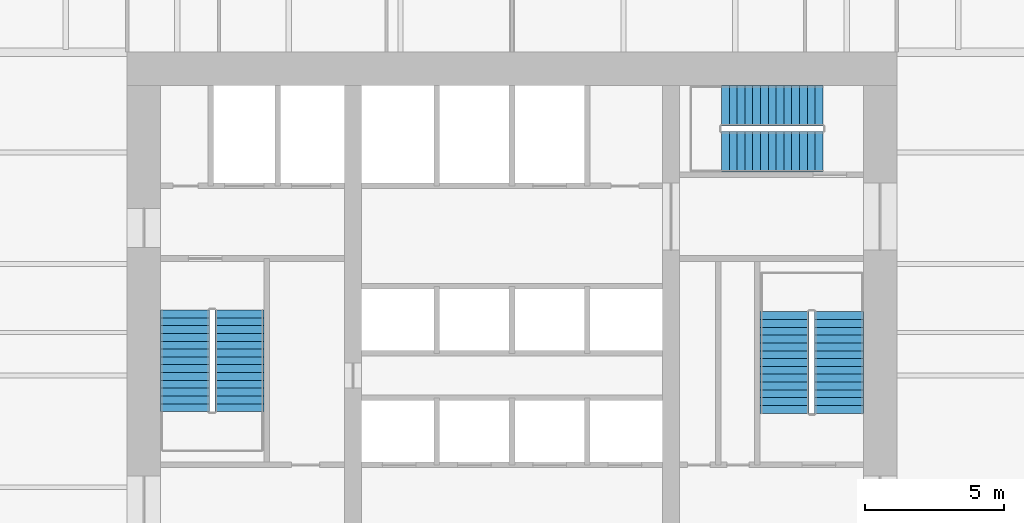
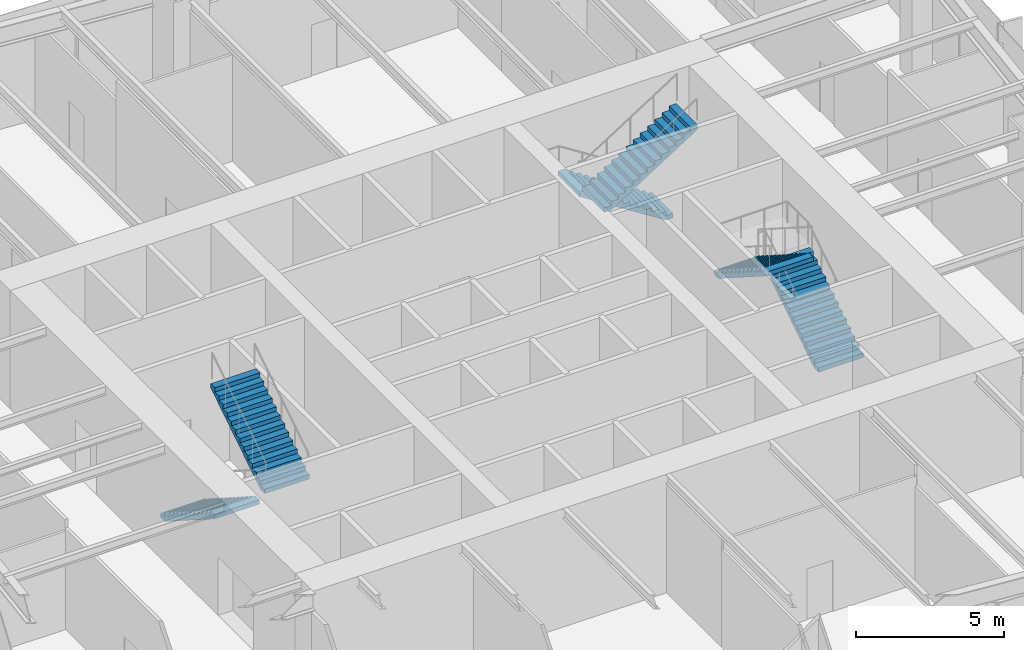
# One storey, part 12 of 15: 6 stair flights, 3 elements without a shape of their own.
"""IFC4 building model written with IfcOpenShell, lengths in metres."""

import ifcopenshell
import ifcopenshell.guid

model = None  # the IFC model being written
_history = None  # IfcOwnerHistory: only IFC2X3 demands one
_inside = {}  # id of a spatial element -> (the spatial element, [elements in it])
_under = {}  # id of a project, library or spatial element -> (it, [spatial elements below it])
_declared = {}  # id of a project -> (the project, [libraries it declares])
_typed = {}  # id of a type object -> (the type object, [elements of that type])
_made_of = {}  # id of a material, layer set ... -> (it, [elements and type objects made of it])


def new_model(schema):
    """Start an empty IFC model of exactly this schema.

    Asked for "IFC4X3", IfcOpenShell would pick the latest addendum, in which some entities
    have other attributes; the version numbers below select the first issue.
    IFC2X3 requires an IfcOwnerHistory on every rooted entity: one is made here for all.
    """
    global model, _history
    if schema == "IFC4X3":
        model = ifcopenshell.file(schema_version=(4, 3, 0, 0))
    else:
        model = ifcopenshell.file(schema=schema)
    _inside.clear()
    _under.clear()
    _declared.clear()
    _typed.clear()
    _made_of.clear()
    _history = None
    if model.schema == "IFC2X3":
        org = make("IfcOrganization", Name="unknown")
        user = make(
            "IfcPersonAndOrganization",
            ThePerson=make("IfcPerson", FamilyName="unknown"),
            TheOrganization=org,
        )
        app = make(
            "IfcApplication",
            ApplicationDeveloper=org,
            Version="unknown",
            ApplicationFullName="unknown",
            ApplicationIdentifier="unknown",
        )
        _history = make(
            "IfcOwnerHistory",
            OwningUser=user,
            OwningApplication=app,
            ChangeAction="ADDED",
            CreationDate=0,
        )
    return model


def make(cls, **values):
    """One entity of the class cls with the attributes given. An attribute that is None is left unset."""
    return model.create_entity(
        cls, **{name: value for name, value in values.items() if value is not None}
    )


def rooted(cls, **values):
    """An entity with a GlobalId (a new one), such as an element, a storey or a relation."""
    return make(cls, GlobalId=ifcopenshell.guid.new(), OwnerHistory=_history, **values)


def si_unit(unit_type, name, prefix=None):
    """IfcSIUnit, for example si_unit("LENGTHUNIT", "METRE", prefix="MILLI")."""
    return make("IfcSIUnit", UnitType=unit_type, Prefix=prefix, Name=name)


def assignment(units):
    """IfcUnitAssignment: the units of a project."""
    return None if units is None else make("IfcUnitAssignment", Units=units)


def point(xyz):
    """IfcCartesianPoint."""
    return None if xyz is None else make("IfcCartesianPoint", Coordinates=xyz)


def direction(xyz):
    """IfcDirection."""
    return None if xyz is None else make("IfcDirection", DirectionRatios=xyz)


def frame(location, z_axis=None, x_axis=None):
    """IfcAxis2Placement3D, a coordinate frame: its origin and axes. An axis left out is left unset."""
    return make(
        "IfcAxis2Placement3D",
        Location=point(location),
        Axis=direction(z_axis),
        RefDirection=direction(x_axis),
    )


def origin():
    """The frame at (0, 0, 0) with its axes left unset."""
    return frame((0.0, 0.0, 0.0))


def place(relative_to, where):
    """IfcLocalPlacement: puts the frame where relative to a parent placement (None: the world)."""
    return make(
        "IfcLocalPlacement", PlacementRelTo=relative_to, RelativePlacement=where
    )


def context(
    kind, dimensions, precision=None, world=None, true_north=None, identifier=None
):
    """IfcGeometricRepresentationContext, for example the 3D "Model" context."""
    return make(
        "IfcGeometricRepresentationContext",
        ContextIdentifier=identifier,
        ContextType=kind,
        CoordinateSpaceDimension=dimensions,
        Precision=precision,
        WorldCoordinateSystem=world,
        TrueNorth=true_north,
    )


def subcontext(parent, identifier, kind, view, scale=None):
    """IfcGeometricRepresentationSubContext, for example "Body" below "Model"."""
    return make(
        "IfcGeometricRepresentationSubContext",
        ContextIdentifier=identifier,
        ContextType=kind,
        ParentContext=parent,
        TargetScale=scale,
        TargetView=view,
    )


def project(units=None, contexts=None):
    """IfcProject with its units and contexts."""
    return rooted(
        "IfcProject",
        Name="project",
        RepresentationContexts=contexts,
        UnitsInContext=assignment(units),
    )


def spatial(cls, under=None, at=None, **own):
    """A site, building, storey or space (cls), placed at a placement, below another one or the project."""
    s = rooted(cls, ObjectPlacement=at, **own)
    if under is not None:
        _under.setdefault(under.id(), (under, []))[1].append(s)
    return s


def polyline(points):
    """IfcPolyline through the points."""
    return make("IfcPolyline", Points=[point(p) for p in points])


def outline(outer, holes=None, kind="AREA"):
    """IfcArbitraryClosedProfileDef: a profile drawn as a closed curve; with holes, ...WithVoids."""
    if holes is None:
        return make("IfcArbitraryClosedProfileDef", ProfileType=kind, OuterCurve=outer)
    return make(
        "IfcArbitraryProfileDefWithVoids",
        ProfileType=kind,
        OuterCurve=outer,
        InnerCurves=holes,
    )


def extrude(swept, where, along, depth):
    """IfcExtrudedAreaSolid: the profile swept, set in the frame where, extruded along a direction by depth."""
    return make(
        "IfcExtrudedAreaSolid",
        SweptArea=swept,
        Position=where,
        ExtrudedDirection=direction(along),
        Depth=depth,
    )


def shape(context_of_items, identifier, shape_type, items):
    """IfcShapeRepresentation: the items that make up one representation, for example the "Body"."""
    return make(
        "IfcShapeRepresentation",
        ContextOfItems=context_of_items,
        RepresentationIdentifier=identifier,
        RepresentationType=shape_type,
        Items=items,
    )


def material(Name=None, Category=None):
    """IfcMaterial."""
    return make("IfcMaterial", Name=Name, Category=Category)


def made_of(thing, what):
    """Note that an element or type object is made of a material, layer set ...; save() writes the relation."""
    if what is not None:
        _made_of.setdefault(what.id(), (what, []))[1].append(thing)
    return thing


def type_object(cls, material=None, **own):
    """A type object (cls), such as IfcWallType, which elements share."""
    return made_of(rooted(cls, **own), material)


def element(
    cls,
    number,
    at=None,
    inside=None,
    cuts=None,
    type_object=None,
    material=None,
    context=None,
    identifier="Body",
    shape_type=None,
    held_by="IfcProductDefinitionShape",
    body=None,
    shapes=None,
    **own,
):
    """One element of the class cls, such as IfcWall. Its Tag is "e" and its number.

    at: its placement. inside: the storey or other place that contains it. cuts: it is an
    opening in that element (IfcRelVoidsElement). A single representation is given by context,
    identifier, shape_type and body (its items); several are given by shapes. held_by: the class
    of the entity that holds the representations. save() writes the other relations.
    """
    e = rooted(cls, Tag="e%d" % number, ObjectPlacement=at, **own)
    if body is not None:
        shapes = [shape(context, identifier, shape_type, body)]
    if shapes is not None:
        e.Representation = make(held_by, Representations=shapes)
    if inside is not None:
        _inside.setdefault(inside.id(), (inside, []))[1].append(e)
    if cuts is not None:
        rooted(
            "IfcRelVoidsElement", RelatingBuildingElement=cuts, RelatedOpeningElement=e
        )
    if type_object is not None:
        _typed.setdefault(type_object.id(), (type_object, []))[1].append(e)
    return made_of(e, material)


def aggregate(whole, parts):
    """IfcRelAggregates: a whole, such as a stair, and the parts it consists of."""
    return rooted("IfcRelAggregates", RelatingObject=whole, RelatedObjects=parts)


def save(model, path):
    """Write the relations noted so far, then the file.

    IfcRelAggregates (storeys below a building ...), IfcRelContainedInSpatialStructure (elements
    in a storey), IfcRelDefinesByType, IfcRelAssociatesMaterial and IfcRelDeclares: one each for
    every whole, place, type object, material and project.
    """
    for whole, parts in _under.values():
        aggregate(whole, parts)
    for where, things in _inside.values():
        rooted(
            "IfcRelContainedInSpatialStructure",
            RelatedElements=things,
            RelatingStructure=where,
        )
    for kind, things in _typed.values():
        rooted("IfcRelDefinesByType", RelatedObjects=things, RelatingType=kind)
    for what, things in _made_of.values():
        rooted("IfcRelAssociatesMaterial", RelatedObjects=things, RelatingMaterial=what)
    for by, libraries in _declared.values():
        rooted("IfcRelDeclares", RelatingContext=by, RelatedDefinitions=libraries)
    model.write(path)


model = new_model("IFC4")

# Units and contexts
model_context = context("Model", 3, precision=1e-05, world=origin(), true_north=direction((0.0, 1.0)))
body_context = subcontext(model_context, "Body", "Model", "MODEL_VIEW")
ifc_project = project(units=[si_unit("LENGTHUNIT", "METRE"), si_unit("AREAUNIT", "SQUARE_METRE"), si_unit("VOLUMEUNIT", "CUBIC_METRE"), si_unit("PLANEANGLEUNIT", "RADIAN"), si_unit("MASSUNIT", "GRAM", prefix="KILO")], contexts=[model_context])

# Site, building, storey
site_placement = place(None, origin())
site = spatial("IfcSite", under=ifc_project, at=site_placement, CompositionType="ELEMENT")
building_placement = place(site_placement, origin())
building = spatial("IfcBuilding", under=site, at=building_placement, Name="Verdant Reach Tower", CompositionType="ELEMENT")
storey_placement = place(building_placement, frame((0.0, 0.0, 65.0)))
storey = spatial("IfcBuildingStorey", under=building, at=storey_placement, Name="L14", CompositionType="ELEMENT", Elevation=65.0)

# Stair, stair flights
ifc_material = material(Name="Concrete C40/50", Category="concrete")
stair_type = type_object("IfcStairType", Name="CO-STAIR", PredefinedType="HALF_TURN_STAIR", material=ifc_material)
stair_1_placement = place(storey_placement, origin())
stair_1 = element("IfcStair", 1, at=stair_1_placement, inside=storey, type_object=stair_type, Name="L14 Exit stair 1", PredefinedType="HALF_TURN_STAIR")
stair_flight_type = type_object("IfcStairFlightType", Name="CO-STAIR-FLIGHT", PredefinedType="STRAIGHT", material=ifc_material)
stair_flight_1_placement = place(storey_placement, frame((-11.72509765625, 29.550048828125, 0.0), z_axis=(0.0, 0.0, 1.0), x_axis=(0.0, -1.0, 0.0)))
stair_flight_1 = element("IfcStairFlight", 2, at=stair_flight_1_placement, type_object=stair_flight_type, Name="ST-1 flight 1", NumberOfRisers=14, NumberOfTreads=13, PredefinedType="STRAIGHT", RiserHeight=0.178571429, TreadLength=0.28, context=body_context, shape_type="SweptSolid", body=[
    extrude(outline(polyline([(0.0, 0.0), (0.0, 0.178466796875), (0.280029296875, 0.178466796875), (0.280029296875, 0.357177734375), (0.56005859375, 0.357177734375), (0.56005859375, 0.53564453125), (0.840087890625, 0.53564453125), (0.840087890625, 0.71435546875), (1.1201171875, 0.71435546875), (1.1201171875, 0.892822265625), (1.39990234375, 0.892822265625), (1.39990234375, 1.071533203125), (1.679931640625, 1.071533203125), (1.679931640625, 1.25), (1.9599609375, 1.25), (1.9599609375, 1.428466796875), (2.239990234375, 1.428466796875), (2.239990234375, 1.607177734375), (2.52001953125, 1.607177734375), (2.52001953125, 1.78564453125), (2.800048828125, 1.78564453125), (2.800048828125, 1.96435546875), (3.080078125, 1.96435546875), (3.080078125, 2.142822265625), (3.360107421875, 2.142822265625), (3.360107421875, 2.321533203125), (3.639892578125, 2.321533203125), (3.639892578125, 2.5), (3.639892578125, 2.1435546875), (0.27880859375, 0.0), (0.0, 0.0)])), frame((0.0, 0.875, 0.0), z_axis=(0.0, -1.0, 0.0), x_axis=(1.0, 0.0, 0.0)), (0.0, 0.0, 1.0), 1.75),
])
stair_flight_2_placement = place(storey_placement, frame((-9.77490234375, 25.909912109375, 2.5), z_axis=(0.0, 0.0, 1.0), x_axis=(0.0, 1.0, 0.0)))
stair_flight_2 = element("IfcStairFlight", 3, at=stair_flight_2_placement, type_object=stair_flight_type, Name="ST-1 flight 2", NumberOfRisers=14, NumberOfTreads=13, PredefinedType="STRAIGHT", RiserHeight=0.178571429, TreadLength=0.28, context=body_context, shape_type="SweptSolid", body=[
    extrude(outline(polyline([(0.0, 0.0), (0.0, 0.178466796875), (0.280029296875, 0.178466796875), (0.280029296875, 0.357177734375), (0.56005859375, 0.357177734375), (0.56005859375, 0.53564453125), (0.840087890625, 0.53564453125), (0.840087890625, 0.71435546875), (1.1201171875, 0.71435546875), (1.1201171875, 0.892822265625), (1.39990234375, 0.892822265625), (1.39990234375, 1.071533203125), (1.679931640625, 1.071533203125), (1.679931640625, 1.25), (1.9599609375, 1.25), (1.9599609375, 1.428466796875), (2.239990234375, 1.428466796875), (2.239990234375, 1.607177734375), (2.52001953125, 1.607177734375), (2.52001953125, 1.78564453125), (2.800048828125, 1.78564453125), (2.800048828125, 1.96435546875), (3.080078125, 1.96435546875), (3.080078125, 2.142822265625), (3.360107421875, 2.142822265625), (3.360107421875, 2.321533203125), (3.639892578125, 2.321533203125), (3.639892578125, 2.5), (3.639892578125, 2.1435546875), (0.27880859375, 0.0), (0.0, 0.0)])), frame((0.0, 0.875, 0.0), z_axis=(0.0, -1.0, 0.0), x_axis=(1.0, 0.0, 0.0)), (0.0, 0.0, 1.0), 1.75),
])
aggregate(stair_1, [stair_flight_1, stair_flight_2])

stair_2_placement = place(storey_placement, origin())
stair_2 = element("IfcStair", 4, at=stair_2_placement, inside=storey, type_object=stair_type, Name="L14 Exit stair 2", PredefinedType="HALF_TURN_STAIR")
stair_flight_3_placement = place(storey_placement, frame((11.72509765625, 25.85009765625, 0.0), z_axis=(0.0, 0.0, 1.0), x_axis=(0.0, 1.0, 0.0)))
stair_flight_3 = element("IfcStairFlight", 5, at=stair_flight_3_placement, type_object=stair_flight_type, Name="ST-2 flight 1", NumberOfRisers=14, NumberOfTreads=13, PredefinedType="STRAIGHT", RiserHeight=0.178571429, TreadLength=0.28, context=body_context, shape_type="SweptSolid", body=[
    extrude(outline(polyline([(0.0, 0.0), (0.0, 0.178466796875), (0.280029296875, 0.178466796875), (0.280029296875, 0.357177734375), (0.56005859375, 0.357177734375), (0.56005859375, 0.53564453125), (0.840087890625, 0.53564453125), (0.840087890625, 0.71435546875), (1.1201171875, 0.71435546875), (1.1201171875, 0.892822265625), (1.39990234375, 0.892822265625), (1.39990234375, 1.071533203125), (1.679931640625, 1.071533203125), (1.679931640625, 1.25), (1.9599609375, 1.25), (1.9599609375, 1.428466796875), (2.239990234375, 1.428466796875), (2.239990234375, 1.607177734375), (2.52001953125, 1.607177734375), (2.52001953125, 1.78564453125), (2.800048828125, 1.78564453125), (2.800048828125, 1.96435546875), (3.080078125, 1.96435546875), (3.080078125, 2.142822265625), (3.360107421875, 2.142822265625), (3.360107421875, 2.321533203125), (3.639892578125, 2.321533203125), (3.639892578125, 2.5), (3.639892578125, 2.1435546875), (0.27880859375, 0.0), (0.0, 0.0)])), frame((0.0, 0.875, 0.0), z_axis=(0.0, -1.0, 0.0), x_axis=(1.0, 0.0, 0.0)), (0.0, 0.0, 1.0), 1.75),
])
stair_flight_4_placement = place(storey_placement, frame((9.77490234375, 29.489990234375, 2.5), z_axis=(0.0, 0.0, 1.0), x_axis=(0.0, -1.0, 0.0)))
stair_flight_4 = element("IfcStairFlight", 6, at=stair_flight_4_placement, type_object=stair_flight_type, Name="ST-2 flight 2", NumberOfRisers=14, NumberOfTreads=13, PredefinedType="STRAIGHT", RiserHeight=0.178571429, TreadLength=0.28, context=body_context, shape_type="SweptSolid", body=[
    extrude(outline(polyline([(0.0, 0.0), (0.0, 0.178466796875), (0.280029296875, 0.178466796875), (0.280029296875, 0.357177734375), (0.56005859375, 0.357177734375), (0.56005859375, 0.53564453125), (0.840087890625, 0.53564453125), (0.840087890625, 0.71435546875), (1.1201171875, 0.71435546875), (1.1201171875, 0.892822265625), (1.39990234375, 0.892822265625), (1.39990234375, 1.071533203125), (1.679931640625, 1.071533203125), (1.679931640625, 1.25), (1.9599609375, 1.25), (1.9599609375, 1.428466796875), (2.239990234375, 1.428466796875), (2.239990234375, 1.607177734375), (2.52001953125, 1.607177734375), (2.52001953125, 1.78564453125), (2.800048828125, 1.78564453125), (2.800048828125, 1.96435546875), (3.080078125, 1.96435546875), (3.080078125, 2.142822265625), (3.360107421875, 2.142822265625), (3.360107421875, 2.321533203125), (3.639892578125, 2.321533203125), (3.639892578125, 2.5), (3.639892578125, 2.1435546875), (0.27880859375, 0.0), (0.0, 0.0)])), frame((0.0, 0.875, 0.0), z_axis=(0.0, -1.0, 0.0), x_axis=(1.0, 0.0, 0.0)), (0.0, 0.0, 1.0), 1.75),
])
aggregate(stair_2, [stair_flight_3, stair_flight_4])

stair_3_placement = place(storey_placement, origin())
stair_3 = element("IfcStair", 7, at=stair_3_placement, inside=storey, type_object=stair_type, Name="L14 Exit stair 3", PredefinedType="HALF_TURN_STAIR")
stair_flight_5_placement = place(storey_placement, frame((11.14990234375, 36.875, 0.0), z_axis=(0.0, 0.0, 1.0), x_axis=(-1.0, 0.0, 0.0)))
stair_flight_5 = element("IfcStairFlight", 8, at=stair_flight_5_placement, type_object=stair_flight_type, Name="ST-3 flight 1", NumberOfRisers=14, NumberOfTreads=13, PredefinedType="STRAIGHT", RiserHeight=0.178571429, TreadLength=0.28, context=body_context, shape_type="SweptSolid", body=[
    extrude(outline(polyline([(0.0, 0.0), (0.0, 0.178466796875), (0.280029296875, 0.178466796875), (0.280029296875, 0.357177734375), (0.56005859375, 0.357177734375), (0.56005859375, 0.53564453125), (0.840087890625, 0.53564453125), (0.840087890625, 0.71435546875), (1.1201171875, 0.71435546875), (1.1201171875, 0.892822265625), (1.39990234375, 0.892822265625), (1.39990234375, 1.071533203125), (1.679931640625, 1.071533203125), (1.679931640625, 1.25), (1.9599609375, 1.25), (1.9599609375, 1.428466796875), (2.239990234375, 1.428466796875), (2.239990234375, 1.607177734375), (2.52001953125, 1.607177734375), (2.52001953125, 1.78564453125), (2.800048828125, 1.78564453125), (2.800048828125, 1.96435546875), (3.080078125, 1.96435546875), (3.080078125, 2.142822265625), (3.360107421875, 2.142822265625), (3.360107421875, 2.321533203125), (3.639892578125, 2.321533203125), (3.639892578125, 2.5), (3.639892578125, 2.1435546875), (0.27880859375, 0.0), (0.0, 0.0)])), frame((0.0, 0.72509765625, 0.0), z_axis=(0.0, -1.0, 0.0), x_axis=(1.0, 0.0, 0.0)), (0.0, 0.0, 1.0), 1.449951171875),
])
stair_flight_6_placement = place(storey_placement, frame((7.510009765625, 35.22509765625, 2.5), z_axis=(0.0, 0.0, 1.0), x_axis=(1.0, 0.0, 0.0)))
stair_flight_6 = element("IfcStairFlight", 9, at=stair_flight_6_placement, type_object=stair_flight_type, Name="ST-3 flight 2", NumberOfRisers=14, NumberOfTreads=13, PredefinedType="STRAIGHT", RiserHeight=0.178571429, TreadLength=0.28, context=body_context, shape_type="SweptSolid", body=[
    extrude(outline(polyline([(0.0, 0.0), (0.0, 0.178466796875), (0.280029296875, 0.178466796875), (0.280029296875, 0.357177734375), (0.56005859375, 0.357177734375), (0.56005859375, 0.53564453125), (0.840087890625, 0.53564453125), (0.840087890625, 0.71435546875), (1.1201171875, 0.71435546875), (1.1201171875, 0.892822265625), (1.39990234375, 0.892822265625), (1.39990234375, 1.071533203125), (1.679931640625, 1.071533203125), (1.679931640625, 1.25), (1.9599609375, 1.25), (1.9599609375, 1.428466796875), (2.239990234375, 1.428466796875), (2.239990234375, 1.607177734375), (2.52001953125, 1.607177734375), (2.52001953125, 1.78564453125), (2.800048828125, 1.78564453125), (2.800048828125, 1.96435546875), (3.080078125, 1.96435546875), (3.080078125, 2.142822265625), (3.360107421875, 2.142822265625), (3.360107421875, 2.321533203125), (3.639892578125, 2.321533203125), (3.639892578125, 2.5), (3.639892578125, 2.1435546875), (0.27880859375, 0.0), (0.0, 0.0)])), frame((0.0, 0.72509765625, 0.0), z_axis=(0.0, -1.0, 0.0), x_axis=(1.0, 0.0, 0.0)), (0.0, 0.0, 1.0), 1.449951171875),
])
aggregate(stair_3, [stair_flight_5, stair_flight_6])

save(model, "model.ifc")
